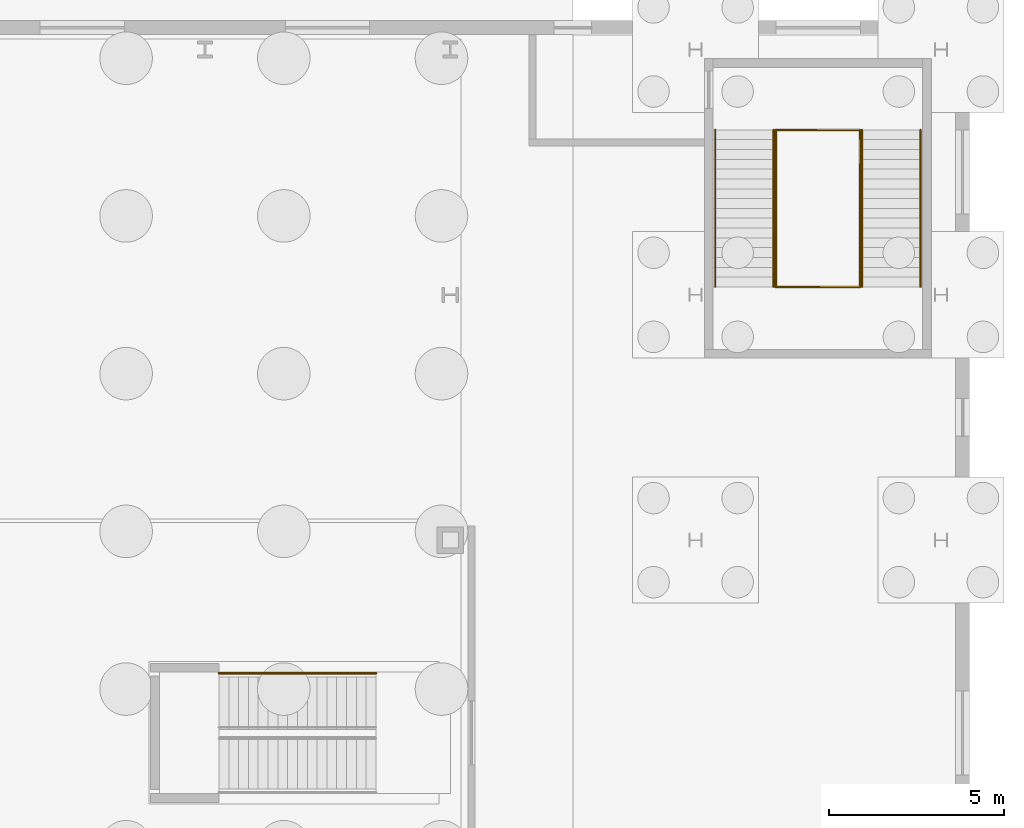
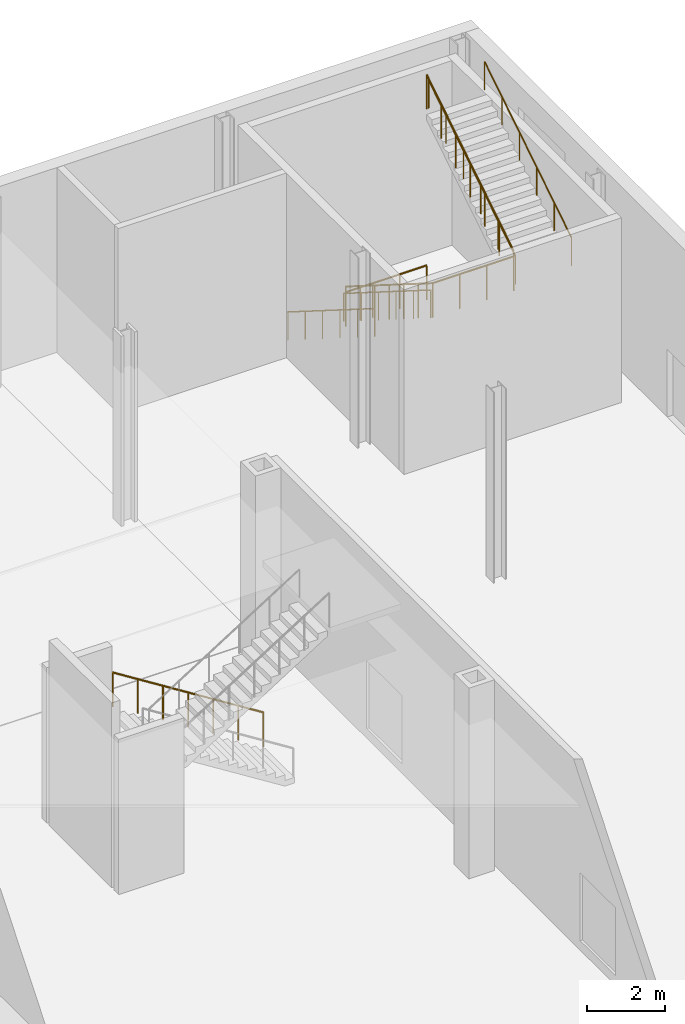
# One storey, part 15 of 16: 9 railings.
"""IFC4 building model written with IfcOpenShell, lengths in metres."""

from ifc_helpers import new_model, si_unit, direction, frame, origin, origin_2d, place, context, subcontext, project, spatial, circle, extrude, material, type_object, element, save


model = new_model("IFC4")

# Units and contexts
model_context = context("Model", 3, precision=1e-05, world=origin(), true_north=direction((0.0, 1.0)))
body_context = subcontext(model_context, "Body", "Model", "MODEL_VIEW")
ifc_project = project(units=[si_unit("LENGTHUNIT", "METRE"), si_unit("AREAUNIT", "SQUARE_METRE"), si_unit("VOLUMEUNIT", "CUBIC_METRE"), si_unit("PLANEANGLEUNIT", "RADIAN"), si_unit("MASSUNIT", "GRAM", prefix="KILO")], contexts=[model_context])

# Site, building, storey
site_placement = place(None, origin())
site = spatial("IfcSite", under=ifc_project, at=site_placement, CompositionType="ELEMENT")
building_placement = place(site_placement, origin())
building = spatial("IfcBuilding", under=site, at=building_placement, Name="Trevanion Tower", CompositionType="ELEMENT")
storey_placement = place(building_placement, origin())
storey = spatial("IfcBuildingStorey", under=building, at=storey_placement, Name="L00", CompositionType="ELEMENT", Elevation=0.0)

# Railings
ifc_material_1 = material(Name="Painted steel balusters and stainless steel top rail", Category="steel")
railing_type_1 = type_object("IfcRailingType", Name="GR1 stair guard 1100", PredefinedType="GUARDRAIL", material=ifc_material_1)
for number, where, name in (
    (1, (34.284912109375, 22.705078125, 0.0), "GR1 ST3 L00 floor landing well guard"),
    (2, (34.284912109375, 18.22509765625, 3.0), "GR1 ST3 L00 half landing well guard"),
):
    element("IfcRailing", number, at=place(storey_placement, frame(where)), inside=storey, type_object=railing_type_1, Name=name, PredefinedType="GUARDRAIL", context=body_context, shape_type="SweptSolid", body=[
        extrude(circle(Radius=0.02490234375, at=origin_2d()), frame((0.0, 0.0, 1.0751953125), z_axis=(1.0, 0.0, 0.0), x_axis=(0.0, 1.0, 0.0)), (0.0, 0.0, 1.0), 2.405029296875),
        extrude(circle(Radius=0.02001953125, at=origin_2d()), origin(), (0.0, 0.0, 1.0), 1.050048828125),
        extrude(circle(Radius=0.02001953125, at=origin_2d()), frame((0.8017578125, 0.0, 0.0)), (0.0, 0.0, 1.0), 1.050048828125),
        extrude(circle(Radius=0.02001953125, at=origin_2d()), frame((1.603271484375, 0.0, 0.0)), (0.0, 0.0, 1.0), 1.050048828125),
        extrude(circle(Radius=0.02001953125, at=origin_2d()), frame((2.405029296875, 0.0, 0.0)), (0.0, 0.0, 1.0), 1.050048828125),
    ])
railing_1_placement = place(storey_placement, frame((34.284912109375, 22.705078125, 0.176513671875)))
element("IfcRailing", 3, at=railing_1_placement, inside=storey, type_object=railing_type_1, Name="GR1 ST3 L00 flight 1 well guard", PredefinedType="GUARDRAIL", context=body_context, shape_type="SweptSolid", body=[
    extrude(circle(Radius=0.02490234375, at=origin_2d()), frame((0.0, 0.0, 1.0751953125), z_axis=(0.0, -0.845997938375, 0.533186166611), x_axis=(1.0, 0.0, 0.0)), (0.0, 0.0, 1.0), 5.29541015625),
    extrude(circle(Radius=0.02001953125, at=origin_2d()), origin(), (0.0, 0.0, 1.0), 1.050048828125),
    extrude(circle(Radius=0.02001953125, at=origin_2d()), frame((0.0, -0.74658203125, 0.470703125)), (0.0, 0.0, 1.0), 1.050048828125),
    extrude(circle(Radius=0.02001953125, at=origin_2d()), frame((0.0, -1.493408203125, 0.941162109375)), (0.0, 0.0, 1.0), 1.050048828125),
    extrude(circle(Radius=0.02001953125, at=origin_2d()), frame((0.0, -2.239990234375, 1.41162109375)), (0.0, 0.0, 1.0), 1.050048828125),
    extrude(circle(Radius=0.02001953125, at=origin_2d()), frame((0.0, -2.986572265625, 1.88232421875)), (0.0, 0.0, 1.0), 1.050048828125),
    extrude(circle(Radius=0.02001953125, at=origin_2d()), frame((0.0, -3.7333984375, 2.35302734375)), (0.0, 0.0, 1.0), 1.050048828125),
    extrude(circle(Radius=0.02001953125, at=origin_2d()), frame((0.0, -4.47998046875, 2.823486328125)), (0.0, 0.0, 1.0), 1.050048828125),
])
railing_2_placement = place(storey_placement, frame((36.68994140625, 18.22509765625, 3.176513671875)))
element("IfcRailing", 4, at=railing_2_placement, inside=storey, type_object=railing_type_1, Name="GR1 ST3 L00 flight 2 well guard", PredefinedType="GUARDRAIL", context=body_context, shape_type="SweptSolid", body=[
    extrude(circle(Radius=0.02490234375, at=origin_2d()), frame((0.0, 0.0, 1.0751953125), z_axis=(0.0, 0.845997938375, 0.533186166611), x_axis=(-1.0, 0.0, 0.0)), (0.0, 0.0, 1.0), 5.29541015625),
    extrude(circle(Radius=0.02001953125, at=origin_2d()), origin(), (0.0, 0.0, 1.0), 1.050048828125),
    extrude(circle(Radius=0.02001953125, at=origin_2d()), frame((0.0, 0.74658203125, 0.470703125)), (0.0, 0.0, 1.0), 1.050048828125),
    extrude(circle(Radius=0.02001953125, at=origin_2d()), frame((0.0, 1.493408203125, 0.941162109375)), (0.0, 0.0, 1.0), 1.050048828125),
    extrude(circle(Radius=0.02001953125, at=origin_2d()), frame((0.0, 2.239990234375, 1.41162109375)), (0.0, 0.0, 1.0), 1.050048828125),
    extrude(circle(Radius=0.02001953125, at=origin_2d()), frame((0.0, 2.986572265625, 1.88232421875)), (0.0, 0.0, 1.0), 1.050048828125),
    extrude(circle(Radius=0.02001953125, at=origin_2d()), frame((0.0, 3.7333984375, 2.35302734375)), (0.0, 0.0, 1.0), 1.050048828125),
    extrude(circle(Radius=0.02001953125, at=origin_2d()), frame((0.0, 4.47998046875, 2.823486328125)), (0.0, 0.0, 1.0), 1.050048828125),
])
ifc_material_2 = material(Name="Cast bronze balusters and bronze top rail", Category="bronze")
railing_type_2 = type_object("IfcRailingType", Name="GR2 grand stair balustrade 1100", PredefinedType="GUARDRAIL", material=ifc_material_2)
railing_3_placement = place(storey_placement, frame((22.8798828125, 7.199951171875, 0.176513671875)))
element("IfcRailing", 5, at=railing_3_placement, inside=storey, type_object=railing_type_2, Name="GR2 GS1 L00 flight 1 balustrade", PredefinedType="GUARDRAIL", context=body_context, shape_type="SweptSolid", body=[
    extrude(circle(Radius=0.02490234375, at=origin_2d()), frame((0.0, 0.0, 1.0751953125), z_axis=(-0.845997938375, 0.0, 0.533186166611), x_axis=(0.0, -1.0, 0.0)), (0.0, 0.0, 1.0), 5.29541015625),
    extrude(circle(Radius=0.02001953125, at=origin_2d()), origin(), (0.0, 0.0, 1.0), 1.050048828125),
    extrude(circle(Radius=0.02001953125, at=origin_2d()), frame((-0.74658203125, 0.0, 0.470703125)), (0.0, 0.0, 1.0), 1.050048828125),
    extrude(circle(Radius=0.02001953125, at=origin_2d()), frame((-1.493408203125, 0.0, 0.941162109375)), (0.0, 0.0, 1.0), 1.050048828125),
    extrude(circle(Radius=0.02001953125, at=origin_2d()), frame((-2.239990234375, 0.0, 1.41162109375)), (0.0, 0.0, 1.0), 1.050048828125),
    extrude(circle(Radius=0.02001953125, at=origin_2d()), frame((-2.986572265625, 0.0, 1.88232421875)), (0.0, 0.0, 1.0), 1.050048828125),
    extrude(circle(Radius=0.02001953125, at=origin_2d()), frame((-3.7333984375, 0.0, 2.35302734375)), (0.0, 0.0, 1.0), 1.050048828125),
    extrude(circle(Radius=0.02001953125, at=origin_2d()), frame((-4.47998046875, 0.0, 2.823486328125)), (0.0, 0.0, 1.0), 1.050048828125),
])
ifc_material_3 = material(Name="Stainless steel tube 40 mm", Category="steel")
railing_type_3 = type_object("IfcRailingType", Name="HR1 handrail", PredefinedType="HANDRAIL", material=ifc_material_3)
for number, where, name in (
    (6, (32.56005859375, 22.705078125, 0.176513671875), "HR1 ST3 L00 flight 1"),
    (7, (34.22509765625, 22.705078125, 0.176513671875), "HR1 ST3 L00 flight 1"),
):
    element("IfcRailing", number, at=place(storey_placement, frame(where)), inside=storey, type_object=railing_type_3, Name=name, PredefinedType="HANDRAIL", context=body_context, shape_type="SweptSolid", body=[
        extrude(circle(Radius=0.02001953125, at=origin_2d()), frame((0.0, 0.0, 0.8798828125), z_axis=(0.0, -0.845997938375, 0.533186166611), x_axis=(1.0, 0.0, 0.0)), (0.0, 0.0, 1.0), 5.29541015625),
        extrude(circle(Radius=0.01513671875, at=origin_2d()), origin(), (0.0, 0.0, 1.0), 0.85986328125),
        extrude(circle(Radius=0.01513671875, at=origin_2d()), frame((0.0, -0.89599609375, 0.564697265625)), (0.0, 0.0, 1.0), 0.85986328125),
        extrude(circle(Radius=0.01513671875, at=origin_2d()), frame((0.0, -1.7919921875, 1.12939453125)), (0.0, 0.0, 1.0), 0.85986328125),
        extrude(circle(Radius=0.01513671875, at=origin_2d()), frame((0.0, -2.68798828125, 1.694091796875)), (0.0, 0.0, 1.0), 0.85986328125),
        extrude(circle(Radius=0.01513671875, at=origin_2d()), frame((0.0, -3.583984375, 2.2587890625)), (0.0, 0.0, 1.0), 0.85986328125),
        extrude(circle(Radius=0.01513671875, at=origin_2d()), frame((0.0, -4.47998046875, 2.823486328125)), (0.0, 0.0, 1.0), 0.85986328125),
    ])
for number, where, name in (
    (8, (36.75, 18.22509765625, 3.176513671875), "HR1 ST3 L00 flight 2"),
    (9, (38.4150390625, 18.22509765625, 3.176513671875), "HR1 ST3 L00 flight 2"),
):
    element("IfcRailing", number, at=place(storey_placement, frame(where)), inside=storey, type_object=railing_type_3, Name=name, PredefinedType="HANDRAIL", context=body_context, shape_type="SweptSolid", body=[
        extrude(circle(Radius=0.02001953125, at=origin_2d()), frame((0.0, 0.0, 0.8798828125), z_axis=(0.0, 0.845997938375, 0.533186166611), x_axis=(-1.0, 0.0, 0.0)), (0.0, 0.0, 1.0), 5.29541015625),
        extrude(circle(Radius=0.01513671875, at=origin_2d()), origin(), (0.0, 0.0, 1.0), 0.85986328125),
        extrude(circle(Radius=0.01513671875, at=origin_2d()), frame((0.0, 0.89599609375, 0.564697265625)), (0.0, 0.0, 1.0), 0.85986328125),
        extrude(circle(Radius=0.01513671875, at=origin_2d()), frame((0.0, 1.7919921875, 1.12939453125)), (0.0, 0.0, 1.0), 0.85986328125),
        extrude(circle(Radius=0.01513671875, at=origin_2d()), frame((0.0, 2.68798828125, 1.694091796875)), (0.0, 0.0, 1.0), 0.85986328125),
        extrude(circle(Radius=0.01513671875, at=origin_2d()), frame((0.0, 3.583984375, 2.2587890625)), (0.0, 0.0, 1.0), 0.85986328125),
        extrude(circle(Radius=0.01513671875, at=origin_2d()), frame((0.0, 4.47998046875, 2.823486328125)), (0.0, 0.0, 1.0), 0.85986328125),
    ])

save(model, "model.ifc")
